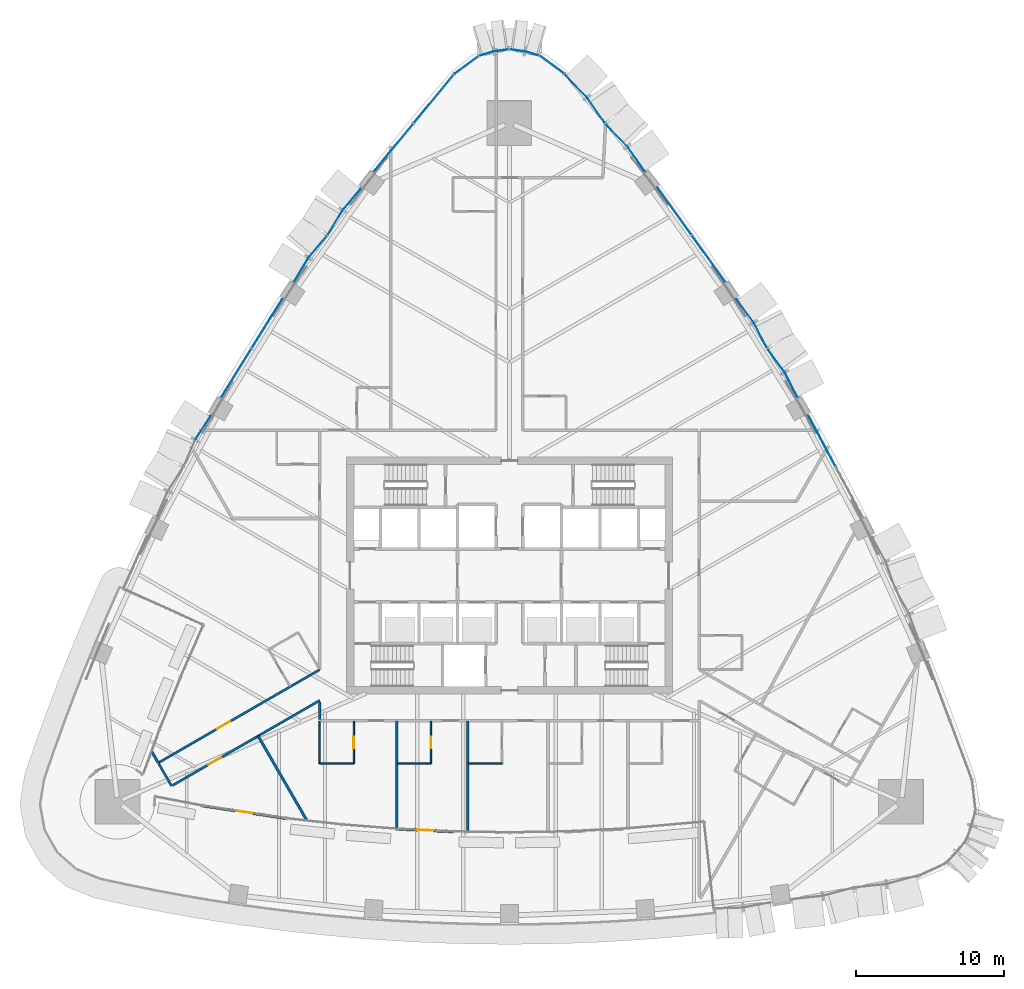
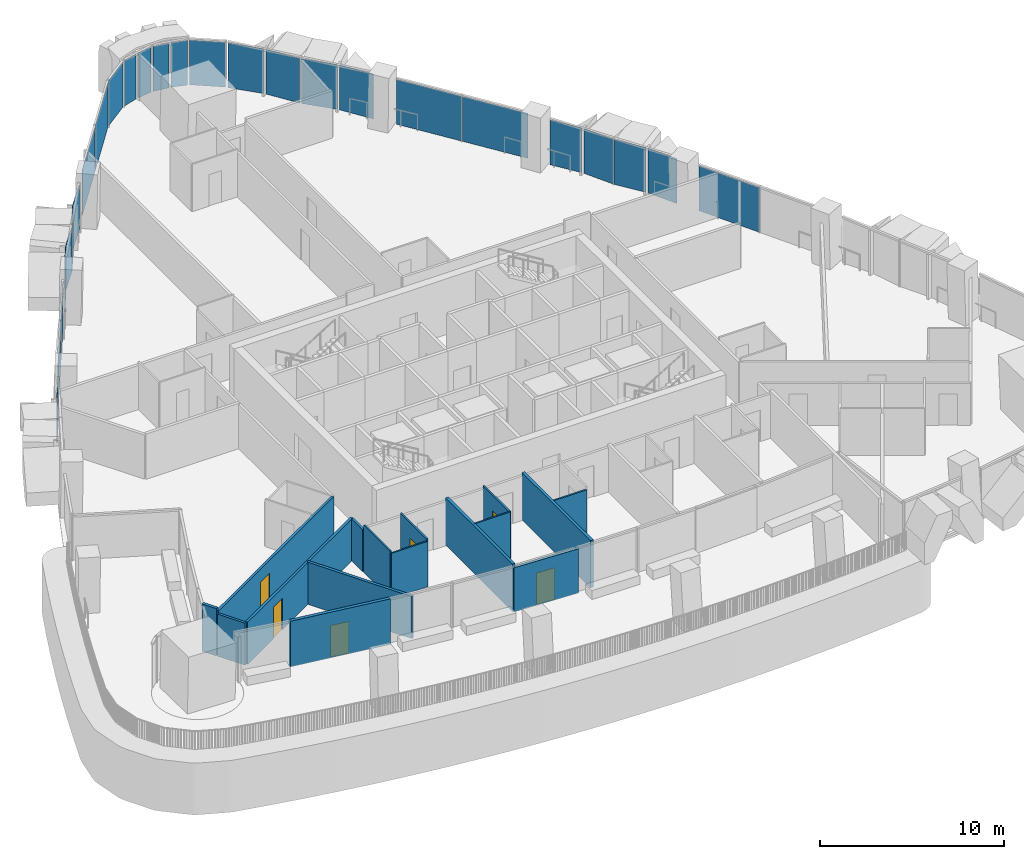
# One storey, part 11 of 22: 26 plates, 16 walls, 6 doors, 6 openings, 12 elements without a shape of their own.
"""IFC4 building model written with IfcOpenShell, lengths in metres."""

from ifc_helpers import new_model, si_unit, direction, frame, frame_2d, origin, origin_2d, place, context, subcontext, project, spatial, polyline, rectangle, outline, extrude, material, layer, layer_set, type_object, element, fill, aggregate, save


model = new_model("IFC4")

# Units and contexts
model_context = context("Model", 3, precision=1e-05, world=origin(), true_north=direction((0.0, 1.0)))
body_context = subcontext(model_context, "Body", "Model", "MODEL_VIEW")
ifc_project = project(units=[si_unit("LENGTHUNIT", "METRE"), si_unit("AREAUNIT", "SQUARE_METRE"), si_unit("VOLUMEUNIT", "CUBIC_METRE"), si_unit("PLANEANGLEUNIT", "RADIAN"), si_unit("MASSUNIT", "GRAM", prefix="KILO")], contexts=[model_context])

# Site, building, storey
site_placement = place(None, origin())
site = spatial("IfcSite", under=ifc_project, at=site_placement, CompositionType="ELEMENT")
building_placement = place(site_placement, origin())
building = spatial("IfcBuilding", under=site, at=building_placement, Name="Sierra Prisma Convention Tower", CompositionType="ELEMENT")
storey_placement = place(building_placement, frame((0.0, 0.0, 73.89990234375)))
storey = spatial("IfcBuildingStorey", under=building, at=storey_placement, Name="L14", CompositionType="ELEMENT", Elevation=73.89990234375)

# Curtain wall, plate
ifc_material_1 = material(Name="Aluminium and glass curtain wall", Category="aluminium")
ifc_layer_1 = layer(ifc_material_1, 0.179931640625)
ifc_layer_set_1 = layer_set([ifc_layer_1], Name="CW-1 Plain shaft curtain wall")
curtain_wall_type_1 = type_object("IfcCurtainWallType", Name="CW-1 Plain shaft curtain wall", PredefinedType="NOTDEFINED", material=ifc_layer_set_1)
curtain_wall_1_placement = place(storey_placement, origin())
curtain_wall_1 = element("IfcCurtainWall", 1, at=curtain_wall_1_placement, inside=storey, type_object=curtain_wall_type_1, Name="CW-1 NE3 L14", PredefinedType="NOTDEFINED")
ifc_material_2 = material(Name="Tinted glass bronze-grey IGU", Category="glass")
ifc_layer_2 = layer(ifc_material_2, 0.028076171875)
ifc_layer_set_2 = layer_set([ifc_layer_2], Name="CW-1 glass panel")
plate_type_1 = type_object("IfcPlateType", Name="CW-1 glass panel", PredefinedType="CURTAIN_PANEL", material=ifc_layer_set_2)
plate_1_placement = place(storey_placement, frame((21.076904296875, 9.087158203125, 0.0), z_axis=(0.0, 0.0, 1.0), x_axis=(-0.470524141145, 0.882387121733, 0.0)))
plate_1 = element("IfcPlate", 2, at=plate_1_placement, type_object=plate_type_1, Name="CW-1 panel NE3.2", PredefinedType="CURTAIN_PANEL", context=body_context, shape_type="SweptSolid", body=[
    extrude(rectangle(XDim=3.853759765625, YDim=0.028076171875, at=origin_2d()), origin(), (0.0, 0.0, 1.0), 2.97998046875),
])
aggregate(curtain_wall_1, [plate_1])

# Curtain wall, plates
curtain_wall_2_placement = place(storey_placement, origin())
curtain_wall_2 = element("IfcCurtainWall", 3, at=curtain_wall_2_placement, inside=storey, type_object=curtain_wall_type_1, Name="CW-1 NE5 L14", PredefinedType="NOTDEFINED")
plate_2_placement = place(storey_placement, frame((13.4404296875, 21.363525390625, 0.0), z_axis=(0.0, 0.0, 1.0), x_axis=(-0.583173599233, 0.812347556873, 0.0)))
plate_2 = element("IfcPlate", 4, at=plate_2_placement, type_object=plate_type_1, Name="CW-1 panel NE5.1", PredefinedType="CURTAIN_PANEL", context=body_context, shape_type="SweptSolid", body=[
    extrude(rectangle(XDim=3.89453125, YDim=0.028076171875, at=origin_2d()), origin(), (0.0, 0.0, 1.0), 2.97998046875),
])
plate_3_placement = place(storey_placement, frame((11.12841796875, 24.583984375, 0.0), z_axis=(0.0, 0.0, 1.0), x_axis=(-0.583173599233, 0.812347556873, 0.0)))
plate_3 = element("IfcPlate", 5, at=plate_3_placement, type_object=plate_type_1, Name="CW-1 panel NE5.2", PredefinedType="CURTAIN_PANEL", context=body_context, shape_type="SweptSolid", body=[
    extrude(rectangle(XDim=3.89453125, YDim=0.028076171875, at=origin_2d()), origin(), (0.0, 0.0, 1.0), 2.97998046875),
])
aggregate(curtain_wall_2, [plate_2, plate_3])

# Curtain wall, plate
curtain_wall_3_placement = place(storey_placement, origin())
curtain_wall_3 = element("IfcCurtainWall", 6, at=curtain_wall_3_placement, inside=storey, type_object=curtain_wall_type_1, Name="CW-1 N1 L14", PredefinedType="NOTDEFINED")
plate_4_placement = place(storey_placement, frame((2.892578125, 34.45556640625, 0.0), z_axis=(0.0, 0.0, 1.0), x_axis=(-0.804207422326, 0.594348737591, 0.0)))
plate_4 = element("IfcPlate", 7, at=plate_4_placement, type_object=plate_type_1, Name="CW-1 panel N1.1", PredefinedType="CURTAIN_PANEL", context=body_context, shape_type="SweptSolid", body=[
    extrude(rectangle(XDim=1.95654296875, YDim=0.028076171875, at=origin_2d()), origin(), (0.0, 0.0, 1.0), 2.97998046875),
])
aggregate(curtain_wall_3, [plate_4])

curtain_wall_4_placement = place(storey_placement, origin())
curtain_wall_4 = element("IfcCurtainWall", 8, at=curtain_wall_4_placement, inside=storey, type_object=curtain_wall_type_1, Name="CW-1 N4 L14", PredefinedType="NOTDEFINED")
plate_5_placement = place(storey_placement, frame((-2.892578125, 34.45556640625, 0.0), z_axis=(0.0, 0.0, 1.0), x_axis=(-0.804207422326, -0.594348737591, 0.0)))
plate_5 = element("IfcPlate", 9, at=plate_5_placement, type_object=plate_type_1, Name="CW-1 panel N4.1", PredefinedType="CURTAIN_PANEL", context=body_context, shape_type="SweptSolid", body=[
    extrude(rectangle(XDim=1.95654296875, YDim=0.028076171875, at=origin_2d()), origin(), (0.0, 0.0, 1.0), 2.97998046875),
])
aggregate(curtain_wall_4, [plate_5])

# Curtain wall, plates
curtain_wall_5_placement = place(storey_placement, origin())
curtain_wall_5 = element("IfcCurtainWall", 10, at=curtain_wall_5_placement, inside=storey, type_object=curtain_wall_type_1, Name="CW-1 NW1 L14", PredefinedType="NOTDEFINED")
plate_6_placement = place(storey_placement, frame((-5.1171875, 32.155029296875, 0.0), z_axis=(0.0, 0.0, 1.0), x_axis=(-0.635767597496, -0.771880536077, 0.0)))
plate_6 = element("IfcPlate", 11, at=plate_6_placement, type_object=plate_type_1, Name="CW-1 panel NW1.1", PredefinedType="CURTAIN_PANEL", context=body_context, shape_type="SweptSolid", body=[
    extrude(rectangle(XDim=4.2060546875, YDim=0.028076171875, at=origin_2d()), origin(), (0.0, 0.0, 1.0), 2.97998046875),
])
plate_7_placement = place(storey_placement, frame((-7.8359375, 28.8544921875, 0.0), z_axis=(0.0, 0.0, 1.0), x_axis=(-0.635767597496, -0.771880536077, 0.0)))
plate_7 = element("IfcPlate", 12, at=plate_7_placement, type_object=plate_type_1, Name="CW-1 panel NW1.2", PredefinedType="CURTAIN_PANEL", context=body_context, shape_type="SweptSolid", body=[
    extrude(rectangle(XDim=4.2060546875, YDim=0.028076171875, at=origin_2d()), origin(), (0.0, 0.0, 1.0), 2.97998046875),
])
aggregate(curtain_wall_5, [plate_6, plate_7])

curtain_wall_6_placement = place(storey_placement, origin())
curtain_wall_6 = element("IfcCurtainWall", 13, at=curtain_wall_6_placement, inside=storey, type_object=curtain_wall_type_1, Name="CW-1 NW3 L14", PredefinedType="NOTDEFINED")
plate_8_placement = place(storey_placement, frame((-16.361572265625, 16.997314453125, 0.0), z_axis=(0.0, 0.0, 1.0), x_axis=(-0.528011474479, -0.849237235888, 0.0)))
plate_8 = element("IfcPlate", 14, at=plate_8_placement, type_object=plate_type_1, Name="CW-1 panel NW3.1", PredefinedType="CURTAIN_PANEL", context=body_context, shape_type="SweptSolid", body=[
    extrude(rectangle(XDim=3.881591796875, YDim=0.028076171875, at=origin_2d()), origin(), (0.0, 0.0, 1.0), 2.97998046875),
])
plate_9_placement = place(storey_placement, frame((-18.4482421875, 13.641357421875, 0.0), z_axis=(0.0, 0.0, 1.0), x_axis=(-0.528011474479, -0.849237235888, 0.0)))
plate_9 = element("IfcPlate", 15, at=plate_9_placement, type_object=plate_type_1, Name="CW-1 panel NW3.2", PredefinedType="CURTAIN_PANEL", context=body_context, shape_type="SweptSolid", body=[
    extrude(rectangle(XDim=3.881591796875, YDim=0.028076171875, at=origin_2d()), origin(), (0.0, 0.0, 1.0), 2.97998046875),
])
aggregate(curtain_wall_6, [plate_8, plate_9])

ifc_material_3 = material(Name="Aluminium and glass curtain wall", Category="aluminium")
ifc_layer_3 = layer(ifc_material_3, 0.179931640625)
ifc_layer_set_3 = layer_set([ifc_layer_3], Name="CW-2 Faceted crystal curtain wall")
curtain_wall_type_2 = type_object("IfcCurtainWallType", Name="CW-2 Faceted crystal curtain wall", PredefinedType="NOTDEFINED", material=ifc_layer_set_3)
curtain_wall_7_placement = place(storey_placement, origin())
curtain_wall_7 = element("IfcCurtainWall", 16, at=curtain_wall_7_placement, inside=storey, type_object=curtain_wall_type_2, Name="CW-2 NE4 L14", PredefinedType="NOTDEFINED")
ifc_material_4 = material(Name="Tinted glass bronze-grey IGU", Category="glass")
ifc_layer_4 = layer(ifc_material_4, 0.028076171875)
ifc_layer_set_4 = layer_set([ifc_layer_4], Name="CW-2 crystal pane")
plate_type_2 = type_object("IfcPlateType", Name="CW-2 crystal pane", PredefinedType="CURTAIN_PANEL", material=ifc_layer_set_4)
plate_10_placement = place(storey_placement, frame((19.4736328125, 11.9921875, 0.0), z_axis=(0.888007650808, 0.459828676908, 0.0), x_axis=(-0.459828676908, 0.888007650808, 0.0)))
plate_10 = element("IfcPlate", 17, at=plate_10_placement, type_object=plate_type_2, Name="CW-2 pane NE4.1.1", PredefinedType="CURTAIN_PANEL", context=body_context, shape_type="SweptSolid", body=[
    extrude(outline(polyline([(0.0, 0.0), (1.8821760344405476, 0.0), (1.8821760344405476, 2.97998046875), (0.0, 2.97998046875), (0.0, 0.0)])), origin(), (0.0, 0.0, -1.0), 0.028076171875),
])
plate_11_placement = place(storey_placement, frame((17.423583984375, 15.2890625, 0.0), z_axis=(0.805153638177, 0.593066285443, 0.0), x_axis=(0.593066285443, -0.805153638177, 0.0)))
plate_11 = element("IfcPlate", 18, at=plate_11_placement, type_object=plate_type_2, Name="CW-2 pane NE4.1.2", PredefinedType="CURTAIN_PANEL", context=body_context, shape_type="SweptSolid", body=[
    extrude(outline(polyline([(0.0, 0.0), (1.8821014866246566, 0.0), (1.8821014866246566, -2.97998046875), (0.0, -2.97998046875), (0.0, 0.0)])), origin(), (0.0, 0.0, -1.0), 0.028076171875),
])
plate_12_placement = place(storey_placement, frame((17.38671875, 15.3486328125, 0.0), z_axis=(0.888007650808, 0.459828676908, 0.0), x_axis=(-0.459828676908, 0.888007650808, 0.0)))
plate_12 = element("IfcPlate", 19, at=plate_12_placement, type_object=plate_type_2, Name="CW-2 pane NE4.2.1", PredefinedType="CURTAIN_PANEL", context=body_context, shape_type="SweptSolid", body=[
    extrude(outline(polyline([(0.0, 0.0), (1.8821760344405476, 0.0), (1.8821760344405476, 2.97998046875), (0.0, 2.97998046875), (0.0, 0.0)])), origin(), (0.0, 0.0, -1.0), 0.028076171875),
])
plate_13_placement = place(storey_placement, frame((15.3369140625, 18.6455078125, 0.0), z_axis=(0.805215579664, 0.592982183768, 0.0), x_axis=(0.592982183768, -0.805215579664, 0.0)))
plate_13 = element("IfcPlate", 20, at=plate_13_placement, type_object=plate_type_2, Name="CW-2 pane NE4.2.2", PredefinedType="CURTAIN_PANEL", context=body_context, shape_type="SweptSolid", body=[
    extrude(outline(polyline([(0.0, 0.0), (1.8819567053169852, 0.0), (1.8819567053169852, -2.97998046875), (0.0, -2.97998046875), (0.0, 0.0)])), origin(), (0.0, 0.0, -1.0), 0.028076171875),
])
aggregate(curtain_wall_7, [plate_10, plate_11, plate_12, plate_13])

curtain_wall_8_placement = place(storey_placement, origin())
curtain_wall_8 = element("IfcCurtainWall", 21, at=curtain_wall_8_placement, inside=storey, type_object=curtain_wall_type_2, Name="CW-2 NE6 L14", PredefinedType="NOTDEFINED")
plate_14_placement = place(storey_placement, frame((9.173095703125, 27.230712890625, 0.0), z_axis=(0.819461845382, 0.573133740031, 0.0), x_axis=(-0.573133740031, 0.819461845382, 0.0)))
plate_14 = element("IfcPlate", 22, at=plate_14_placement, type_object=plate_type_2, Name="CW-2 pane NE6.1.1", PredefinedType="CURTAIN_PANEL", context=body_context, shape_type="SweptSolid", body=[
    extrude(outline(polyline([(0.0, 0.0), (2.04467983325452, 0.0), (2.04467983325452, 2.97998046875), (0.0, 2.97998046875), (0.0, 0.0)])), origin(), (0.0, 0.0, -1.0), 0.028076171875),
])
plate_15_placement = place(storey_placement, frame((6.4990234375, 30.4775390625, 0.0), z_axis=(0.719650363416, 0.694336629046, 0.0), x_axis=(0.694336629046, -0.719650363416, 0.0)))
plate_15 = element("IfcPlate", 23, at=plate_15_placement, type_object=plate_type_2, Name="CW-2 pane NE6.1.2", PredefinedType="CURTAIN_PANEL", context=body_context, shape_type="SweptSolid", body=[
    extrude(outline(polyline([(0.0, 0.0), (2.0446533784696768, 0.0), (2.0446533784696768, -2.97998046875), (0.0, -2.97998046875), (0.0, 0.0)])), origin(), (0.0, 0.0, -1.0), 0.028076171875),
])
plate_16_placement = place(storey_placement, frame((6.454345703125, 30.53173828125, 0.0), z_axis=(0.8194226179, 0.573189823072, 0.0), x_axis=(-0.573189823072, 0.8194226179, 0.0)))
plate_16 = element("IfcPlate", 24, at=plate_16_placement, type_object=plate_type_2, Name="CW-2 pane NE6.2.1", PredefinedType="CURTAIN_PANEL", context=body_context, shape_type="SweptSolid", body=[
    extrude(outline(polyline([(0.0, 0.0), (2.0444797741157013, 0.0), (2.0444797741157013, 2.97998046875), (0.0, 2.97998046875), (0.0, 0.0)])), origin(), (0.0, 0.0, -1.0), 0.028076171875),
])
plate_17_placement = place(storey_placement, frame((3.7802734375, 33.7783203125, 0.0), z_axis=(0.71959279073, 0.694396295734, 0.0), x_axis=(0.694396295734, -0.71959279073, 0.0)))
plate_17 = element("IfcPlate", 25, at=plate_17_placement, type_object=plate_type_2, Name="CW-2 pane NE6.2.2", PredefinedType="CURTAIN_PANEL", context=body_context, shape_type="SweptSolid", body=[
    extrude(outline(polyline([(0.0, 0.0), (2.0444776896077848, 0.0), (2.0444776896077848, -2.97998046875), (0.0, -2.97998046875), (0.0, 0.0)])), origin(), (0.0, 0.0, -1.0), 0.028076171875),
])
aggregate(curtain_wall_8, [plate_14, plate_15, plate_16, plate_17])

curtain_wall_9_placement = place(storey_placement, origin())
curtain_wall_9 = element("IfcCurtainWall", 26, at=curtain_wall_9_placement, inside=storey, type_object=curtain_wall_type_2, Name="CW-2 N2 L14", PredefinedType="NOTDEFINED")
plate_18_placement = place(storey_placement, frame((1.981201171875, 35.09326171875, 0.0), z_axis=(0.286663441259, 0.958031352016, 0.0), x_axis=(-0.958031352016, 0.286663441259, 0.0)))
plate_18 = element("IfcPlate", 27, at=plate_18_placement, type_object=plate_type_2, Name="CW-2 pane N2.1.1", PredefinedType="CURTAIN_PANEL", context=body_context, shape_type="SweptSolid", body=[
    extrude(outline(polyline([(0.0, 0.0), (0.9163893077744416, 0.0), (0.9163893077744416, 2.97998046875), (0.0, 2.97998046875), (0.0, 0.0)])), origin(), (0.0, 0.0, -1.0), 0.028076171875),
])
plate_19_placement = place(storey_placement, frame((0.068359375, 35.50537109375, 0.0), z_axis=(0.133210717496, 0.991087738167, 0.0), x_axis=(0.991087738167, -0.133210717496, 0.0)))
plate_19 = element("IfcPlate", 28, at=plate_19_placement, type_object=plate_type_2, Name="CW-2 pane N2.1.2", PredefinedType="CURTAIN_PANEL", context=body_context, shape_type="SweptSolid", body=[
    extrude(outline(polyline([(0.0, 0.0), (0.9163700548651801, 0.0), (0.9163700548651801, -2.97998046875), (0.0, -2.97998046875), (0.0, 0.0)])), origin(), (0.0, 0.0, -1.0), 0.028076171875),
])
aggregate(curtain_wall_9, [plate_18, plate_19])

curtain_wall_10_placement = place(storey_placement, origin())
curtain_wall_10 = element("IfcCurtainWall", 29, at=curtain_wall_10_placement, inside=storey, type_object=curtain_wall_type_2, Name="CW-2 N3 L14", PredefinedType="NOTDEFINED")
plate_20_placement = place(storey_placement, frame((-0.068359375, 35.50537109375, 0.0), z_axis=(-0.133210717496, 0.991087738167, 0.0), x_axis=(-0.991087738167, -0.133210717496, 0.0)))
plate_20 = element("IfcPlate", 30, at=plate_20_placement, type_object=plate_type_2, Name="CW-2 pane N3.1.1", PredefinedType="CURTAIN_PANEL", context=body_context, shape_type="SweptSolid", body=[
    extrude(outline(polyline([(0.0, 0.0), (0.9163700548651801, 0.0), (0.9163700548651801, 2.97998046875), (0.0, 2.97998046875), (0.0, 0.0)])), origin(), (0.0, 0.0, -1.0), 0.028076171875),
])
plate_21_placement = place(storey_placement, frame((-1.981201171875, 35.09326171875, 0.0), z_axis=(-0.286663441259, 0.958031352016, 0.0), x_axis=(0.958031352016, 0.286663441259, 0.0)))
plate_21 = element("IfcPlate", 31, at=plate_21_placement, type_object=plate_type_2, Name="CW-2 pane N3.1.2", PredefinedType="CURTAIN_PANEL", context=body_context, shape_type="SweptSolid", body=[
    extrude(outline(polyline([(0.0, 0.0), (0.9163893077744416, 0.0), (0.9163893077744416, -2.97998046875), (0.0, -2.97998046875), (0.0, 0.0)])), origin(), (0.0, 0.0, -1.0), 0.028076171875),
])
aggregate(curtain_wall_10, [plate_20, plate_21])

curtain_wall_11_placement = place(storey_placement, origin())
curtain_wall_11 = element("IfcCurtainWall", 32, at=curtain_wall_11_placement, inside=storey, type_object=curtain_wall_type_2, Name="CW-2 NW2 L14", PredefinedType="NOTDEFINED")
plate_22_placement = place(storey_placement, frame((-10.0048828125, 26.14892578125, 0.0), z_axis=(-0.764113711108, 0.645081573521, 0.0), x_axis=(-0.645081573521, -0.764113711108, 0.0)))
plate_22 = element("IfcPlate", 33, at=plate_22_placement, type_object=plate_type_2, Name="CW-2 pane NW2.1.1", PredefinedType="CURTAIN_PANEL", context=body_context, shape_type="SweptSolid", body=[
    extrude(outline(polyline([(0.0, 0.0), (1.882862042926777, 0.0), (1.882862042926777, 2.97998046875), (0.0, 2.97998046875), (0.0, 0.0)])), origin(), (0.0, 0.0, -1.0), 0.028076171875),
])
plate_23_placement = place(storey_placement, frame((-12.269775390625, 22.994140625, 0.0), z_axis=(-0.855587742807, 0.517657815896, 0.0), x_axis=(0.517657815896, 0.855587742807, 0.0)))
plate_23 = element("IfcPlate", 34, at=plate_23_placement, type_object=plate_type_2, Name="CW-2 pane NW2.1.2", PredefinedType="CURTAIN_PANEL", context=body_context, shape_type="SweptSolid", body=[
    extrude(outline(polyline([(0.0, 0.0), (1.8827289863521024, 0.0), (1.8827289863521024, -2.97998046875), (0.0, -2.97998046875), (0.0, 0.0)])), origin(), (0.0, 0.0, -1.0), 0.028076171875),
])
plate_24_placement = place(storey_placement, frame((-12.310546875, 22.937255859375, 0.0), z_axis=(-0.764059745712, 0.64514549133, 0.0), x_axis=(-0.64514549133, -0.764059745712, 0.0)))
plate_24 = element("IfcPlate", 35, at=plate_24_placement, type_object=plate_type_2, Name="CW-2 pane NW2.2.1", PredefinedType="CURTAIN_PANEL", context=body_context, shape_type="SweptSolid", body=[
    extrude(outline(polyline([(0.0, 0.0), (1.8826754983150225, 0.0), (1.8826754983150225, 2.97998046875), (0.0, 2.97998046875), (0.0, 0.0)])), origin(), (0.0, 0.0, -1.0), 0.028076171875),
])
plate_25_placement = place(storey_placement, frame((-14.5751953125, 19.78271484375, 0.0), z_axis=(-0.855587742807, 0.517657815896, 0.0), x_axis=(0.517657815896, 0.855587742807, 0.0)))
plate_25 = element("IfcPlate", 36, at=plate_25_placement, type_object=plate_type_2, Name="CW-2 pane NW2.2.2", PredefinedType="CURTAIN_PANEL", context=body_context, shape_type="SweptSolid", body=[
    extrude(outline(polyline([(0.0, 0.0), (1.8827289863521024, 0.0), (1.8827289863521024, -2.97998046875), (0.0, -2.97998046875), (0.0, 0.0)])), origin(), (0.0, 0.0, -1.0), 0.028076171875),
])
aggregate(curtain_wall_11, [plate_22, plate_23, plate_24, plate_25])

# Curtain wall, plate
curtain_wall_12_placement = place(storey_placement, origin())
curtain_wall_12 = element("IfcCurtainWall", 37, at=curtain_wall_12_placement, inside=storey, type_object=curtain_wall_type_2, Name="CW-2 NW4 L14", PredefinedType="NOTDEFINED")
plate_26_placement = place(storey_placement, frame((-20.17041015625, 10.787353515625, 0.0), z_axis=(-0.842772046821, 0.538270635551, 0.0), x_axis=(-0.538270635551, -0.842772046821, 0.0)))
plate_26 = element("IfcPlate", 38, at=plate_26_placement, type_object=plate_type_2, Name="CW-2 pane NW4.1.1", PredefinedType="CURTAIN_PANEL", context=body_context, shape_type="SweptSolid", body=[
    extrude(outline(polyline([(0.0, 0.0), (1.867326372161664, 0.0), (1.867326372161664, 2.9799804687500004), (0.0, 2.9799804687500004), (0.0, 0.0)])), origin(), (0.0, 0.0, -1.0), 0.028076171875),
])
aggregate(curtain_wall_12, [plate_26])

# Wall, opening, door
ifc_material_5 = material(Name="Gypsum board partition", Category="gypsum")
ifc_layer_5 = layer(ifc_material_5, 0.10009765625)
ifc_layer_set_5 = layer_set([ifc_layer_5], Name="Bathroom partition 100")
wall_type_1 = type_object("IfcWallType", Name="Bathroom partition 100", PredefinedType="PARTITIONING", material=ifc_layer_set_5)
wall_1_placement = place(storey_placement, frame((-10.5, -9.830078125, 0.0), z_axis=(0.0, 0.0, 1.0), x_axis=(0.0, -1.0, 0.0)))
wall_1 = element("IfcWall", 39, at=wall_1_placement, inside=storey, type_object=wall_type_1, Name="Partition L14 bath 6", PredefinedType="PARTITIONING", context=body_context, shape_type="SweptSolid", body=[
    extrude(rectangle(XDim=2.869873046875, YDim=0.10009765625, at=frame_2d((1.43505859375, 0.0))), origin(), (0.0, 0.0, 1.0), 3.150146484375),
])
opening_1_placement = place(wall_1_placement, frame((1.034912109375, 0.0, 0.0)))
opening_1 = element("IfcOpeningElement", 40, at=opening_1_placement, cuts=wall_1, Name="Opening L14-D009", PredefinedType="OPENING", context=body_context, shape_type="SweptSolid", body=[
    extrude(rectangle(XDim=0.800048828125, YDim=2.10009765625, at=frame_2d((0.39990234375, 1.050048828125))), frame((0.0, 0.050048828125, 0.0), z_axis=(0.0, -1.0, 0.0), x_axis=(1.0, 0.0, 0.0)), (0.0, 0.0, 1.0), 0.10009765625),
])
ifc_material_6 = material(Name="Solid core timber door leaf", Category="wood")
door_type_1 = type_object("IfcDoorType", Name="Door 800x2100 plain", OperationType="SINGLE_SWING_LEFT", PredefinedType="DOOR", material=ifc_material_6)
door_1_placement = place(opening_1_placement, origin())
door_1 = element("IfcDoor", 41, at=door_1_placement, inside=storey, type_object=door_type_1, Name="Door L14 15", OperationType="SINGLE_SWING_RIGHT", OverallHeight=2.10009765625, OverallWidth=0.800048828125, PredefinedType="DOOR", context=body_context, shape_type="SweptSolid", body=[
    extrude(rectangle(XDim=0.800048828125, YDim=2.10009765625, at=frame_2d((0.39990234375, 1.050048828125))), frame((0.0, 0.02490234375, 0.0), z_axis=(0.0, -1.0, 0.0), x_axis=(1.0, 0.0, 0.0)), (0.0, 0.0, 1.0), 0.050048828125),
])
fill(opening_1, door_1)

# Walls
wall_2_placement = place(storey_placement, frame((-10.5, -12.699951171875, 0.0), z_axis=(0.0, 0.0, 1.0), x_axis=(-1.0, 0.0, 0.0)))
element("IfcWall", 42, at=wall_2_placement, inside=storey, type_object=wall_type_1, Name="Partition L14 bath 7", PredefinedType="PARTITIONING", context=body_context, shape_type="SweptSolid", body=[
    extrude(rectangle(XDim=2.300048828125, YDim=0.10009765625, at=frame_2d((1.14990234375, 0.0))), origin(), (0.0, 0.0, 1.0), 3.01708984375),
])
wall_3_placement = place(storey_placement, frame((-12.800048828125, -12.699951171875, 0.0), z_axis=(0.0, 0.0, 1.0), x_axis=(0.0, 1.0, 0.0)))
element("IfcWall", 43, at=wall_3_placement, inside=storey, type_object=wall_type_1, Name="Partition L14 bath 8", PredefinedType="PARTITIONING", context=body_context, shape_type="SweptSolid", body=[
    extrude(rectangle(XDim=2.869873046875, YDim=0.10009765625, at=frame_2d((1.43505859375, 0.0))), origin(), (0.0, 0.0, 1.0), 3.150146484375),
])

# Wall, opening, door
wall_4_placement = place(storey_placement, frame((-5.300048828125, -9.830078125, 0.0), z_axis=(0.0, 0.0, 1.0), x_axis=(0.0, -1.0, 0.0)))
wall_4 = element("IfcWall", 44, at=wall_4_placement, inside=storey, type_object=wall_type_1, Name="Partition L14 bath 11", PredefinedType="PARTITIONING", context=body_context, shape_type="SweptSolid", body=[
    extrude(rectangle(XDim=2.869873046875, YDim=0.10009765625, at=frame_2d((1.43505859375, 0.0))), origin(), (0.0, 0.0, 1.0), 3.150146484375),
])
opening_2_placement = place(wall_4_placement, frame((1.034912109375, 0.0, 0.0)))
opening_2 = element("IfcOpeningElement", 45, at=opening_2_placement, cuts=wall_4, Name="Opening L14-D010", PredefinedType="OPENING", context=body_context, shape_type="SweptSolid", body=[
    extrude(rectangle(XDim=0.800048828125, YDim=2.10009765625, at=frame_2d((0.39990234375, 1.050048828125))), frame((0.0, 0.050048828125, 0.0), z_axis=(0.0, -1.0, 0.0), x_axis=(1.0, 0.0, 0.0)), (0.0, 0.0, 1.0), 0.10009765625),
])
door_2_placement = place(opening_2_placement, origin())
door_2 = element("IfcDoor", 46, at=door_2_placement, inside=storey, type_object=door_type_1, Name="Door L14 17", OperationType="SINGLE_SWING_RIGHT", OverallHeight=2.10009765625, OverallWidth=0.800048828125, PredefinedType="DOOR", context=body_context, shape_type="SweptSolid", body=[
    extrude(rectangle(XDim=0.800048828125, YDim=2.10009765625, at=frame_2d((0.39990234375, 1.050048828125))), frame((0.0, 0.02490234375, 0.0), z_axis=(0.0, -1.0, 0.0), x_axis=(1.0, 0.0, 0.0)), (0.0, 0.0, 1.0), 0.050048828125),
])
fill(opening_2, door_2)

# Walls
wall_5_placement = place(storey_placement, frame((-5.300048828125, -12.699951171875, 0.0), z_axis=(0.0, 0.0, 1.0), x_axis=(-1.0, 0.0, 0.0)))
element("IfcWall", 47, at=wall_5_placement, inside=storey, type_object=wall_type_1, Name="Partition L14 bath 12", PredefinedType="PARTITIONING", context=body_context, shape_type="SweptSolid", body=[
    extrude(rectangle(XDim=2.27001953125, YDim=0.10009765625, at=frame_2d((1.135009765625, 0.0))), origin(), (0.0, 0.0, 1.0), 3.150146484375),
])
wall_6_placement = place(storey_placement, frame((-0.5, -12.699951171875, 0.0), z_axis=(0.0, 0.0, 1.0), x_axis=(-1.0, 0.0, 0.0)))
element("IfcWall", 48, at=wall_6_placement, inside=storey, type_object=wall_type_1, Name="Partition L14 bath 14", PredefinedType="PARTITIONING", context=body_context, shape_type="SweptSolid", body=[
    extrude(rectangle(XDim=2.27001953125, YDim=0.10009765625, at=frame_2d((1.135009765625, 0.0))), origin(), (0.0, 0.0, 1.0), 2.947021484375),
])

# Wall, opening, door
ifc_material_7 = material(Name="Gypsum board partition", Category="gypsum")
ifc_layer_6 = layer(ifc_material_7, 0.14990234375)
ifc_layer_set_6 = layer_set([ifc_layer_6], Name="Corridor wall 150 gypsum EI 60")
wall_type_2 = type_object("IfcWallType", Name="Corridor wall 150 gypsum EI 60", PredefinedType="PARTITIONING", material=ifc_layer_set_6)
wall_7_placement = place(storey_placement, frame((-12.800048828125, -6.350830078125, 0.0), z_axis=(0.0, 0.0, 1.0), x_axis=(-0.866020449901, -0.50000858028, 0.0)))
wall_7 = element("IfcWall", 49, at=wall_7_placement, inside=storey, type_object=wall_type_2, Name="Partition L14 corr 1", PredefinedType="PARTITIONING", context=body_context, shape_type="SweptSolid", body=[
    extrude(rectangle(XDim=12.580810546875, YDim=0.14990234375, at=frame_2d((6.29052734375, 0.0))), origin(), (0.0, 0.0, 1.0), 2.947021484375),
])
opening_3_placement = place(wall_7_placement, frame((6.990478515625, 0.0, 0.0)))
opening_3 = element("IfcOpeningElement", 50, at=opening_3_placement, cuts=wall_7, Name="Opening L14-D046", PredefinedType="OPENING", context=body_context, shape_type="SweptSolid", body=[
    extrude(rectangle(XDim=1.0, YDim=2.10009765625, at=frame_2d((0.5, 1.050048828125))), frame((0.0, 0.074951171875, 0.0), z_axis=(0.0, -1.0, 0.0), x_axis=(1.0, 0.0, 0.0)), (0.0, 0.0, 1.0), 0.14990234375),
])
ifc_material_8 = material(Name="Steel fire door leaf", Category="steel")
door_type_2 = type_object("IfcDoorType", Name="Door 1000x2100 FD30S", OperationType="SINGLE_SWING_LEFT", PredefinedType="DOOR", material=ifc_material_8)
door_3_placement = place(opening_3_placement, origin())
door_3 = element("IfcDoor", 51, at=door_3_placement, inside=storey, type_object=door_type_2, Name="Door L14 11", OperationType="SINGLE_SWING_RIGHT", OverallHeight=2.10009765625, OverallWidth=1.0, PredefinedType="DOOR", context=body_context, shape_type="SweptSolid", body=[
    extrude(rectangle(XDim=1.0, YDim=2.10009765625, at=frame_2d((0.5, 1.050048828125))), frame((0.0, 0.02490234375, 0.0), z_axis=(0.0, -1.0, 0.0), x_axis=(1.0, 0.0, 0.0)), (0.0, 0.0, 1.0), 0.050048828125),
])
fill(opening_3, door_3)

# Wall
wall_8_placement = place(storey_placement, frame((-23.655517578125, -12.710693359375, 0.0), z_axis=(0.0, 0.0, 1.0), x_axis=(0.500062383118, -0.865989383878, 0.0)))
element("IfcWall", 52, at=wall_8_placement, inside=storey, type_object=wall_type_2, Name="Partition L14 corr 2", PredefinedType="PARTITIONING", context=body_context, shape_type="SweptSolid", body=[
    extrude(rectangle(XDim=1.719970703125, YDim=0.14990234375, at=frame_2d((0.85986328125, 0.0))), origin(), (0.0, 0.0, 1.0), 2.797119140625),
])

# Wall, opening, door
wall_9_placement = place(storey_placement, frame((-22.72607421875, -14.16015625, 0.0), z_axis=(0.0, 0.0, 1.0), x_axis=(0.866019223041, 0.500010705209, 0.0)))
wall_9 = element("IfcWall", 53, at=wall_9_placement, inside=storey, type_object=wall_type_2, Name="Partition L14 corr 3", PredefinedType="PARTITIONING", context=body_context, shape_type="SweptSolid", body=[
    extrude(rectangle(XDim=11.461669921875, YDim=0.14990234375, at=frame_2d((5.73095703125, 0.0))), origin(), (0.0, 0.0, 1.0), 2.797119140625),
])
opening_4_placement = place(wall_9_placement, frame((2.790771484375, 0.0, 0.0)))
opening_4 = element("IfcOpeningElement", 54, at=opening_4_placement, cuts=wall_9, Name="Opening L14-D047", PredefinedType="OPENING", context=body_context, shape_type="SweptSolid", body=[
    extrude(rectangle(XDim=1.0, YDim=2.10009765625, at=frame_2d((0.5, 1.050048828125))), frame((0.0, 0.074951171875, 0.0), z_axis=(0.0, -1.0, 0.0), x_axis=(1.0, 0.0, 0.0)), (0.0, 0.0, 1.0), 0.14990234375),
])
door_4_placement = place(opening_4_placement, origin())
door_4 = element("IfcDoor", 55, at=door_4_placement, inside=storey, type_object=door_type_2, Name="Door L14 13", OperationType="SINGLE_SWING_LEFT", OverallHeight=2.10009765625, OverallWidth=1.0, PredefinedType="DOOR", context=body_context, shape_type="SweptSolid", body=[
    extrude(rectangle(XDim=1.0, YDim=2.10009765625, at=frame_2d((0.5, 1.050048828125))), frame((0.0, 0.02490234375, 0.0), z_axis=(0.0, -1.0, 0.0), x_axis=(1.0, 0.0, 0.0)), (0.0, 0.0, 1.0), 0.050048828125),
])
fill(opening_4, door_4)

# Walls
wall_10_placement = place(storey_placement, frame((-12.800048828125, -8.52099609375, 0.0), z_axis=(0.0, 0.0, 1.0), x_axis=(0.0, -1.0, 0.0)))
element("IfcWall", 56, at=wall_10_placement, inside=storey, type_object=wall_type_2, Name="Partition L14 corr 4", PredefinedType="PARTITIONING", context=body_context, shape_type="SweptSolid", body=[
    extrude(rectangle(XDim=1.198974609375, YDim=0.14990234375, at=frame_2d((0.599609375, 0.0))), origin(), (0.0, 0.0, 1.0), 2.797119140625),
])
ifc_material_9 = material(Name="Acoustic gypsum board partition", Category="gypsum")
ifc_layer_7 = layer(ifc_material_9, 0.175048828125)
ifc_layer_set_7 = layer_set([ifc_layer_7], Name="Guest room party wall 175 acoustic EI 60")
wall_type_3 = type_object("IfcWallType", Name="Guest room party wall 175 acoustic EI 60", PredefinedType="PARTITIONING", material=ifc_layer_set_7)
wall_11_placement = place(storey_placement, frame((-23.6953125, -12.641357421875, 0.0), z_axis=(0.0, 0.0, 1.0), x_axis=(-0.500122219575, 0.86595482878, 0.0)))
element("IfcWall", 57, at=wall_11_placement, inside=storey, type_object=wall_type_3, Name="Partition L14 hparty 1", PredefinedType="PARTITIONING", context=body_context, shape_type="SweptSolid", body=[
    extrude(rectangle(XDim=0.916259765625, YDim=0.175048828125, at=frame_2d((0.4580078125, 0.0))), origin(), (0.0, 0.0, 1.0), 3.150146484375),
])
wall_12_placement = place(storey_placement, frame((-13.65478515625, -16.548583984375, 0.0), z_axis=(0.0, 0.0, 1.0), x_axis=(-0.499999794657, 0.866025522339, 0.0)))
element("IfcWall", 58, at=wall_12_placement, inside=storey, type_object=wall_type_3, Name="Partition L14 hparty 5", PredefinedType="PARTITIONING", context=body_context, shape_type="SweptSolid", body=[
    extrude(rectangle(XDim=6.60400390625, YDim=0.175048828125, at=frame_2d((3.302001953125, 0.0))), origin(), (0.0, 0.0, 1.0), 2.797119140625),
])
wall_13_placement = place(storey_placement, frame((-7.60009765625, -9.800048828125, 0.0), z_axis=(0.0, 0.0, 1.0), x_axis=(0.0, -1.0, 0.0)))
element("IfcWall", 59, at=wall_13_placement, inside=storey, type_object=wall_type_3, Name="Partition L14 hparty 7", PredefinedType="PARTITIONING", context=body_context, shape_type="SweptSolid", body=[
    extrude(rectangle(XDim=7.29248046875, YDim=0.175048828125, at=frame_2d((3.646240234375, 0.0))), origin(), (0.0, 0.0, 1.0), 3.150146484375),
])
wall_14_placement = place(storey_placement, frame((-2.800048828125, -9.800048828125, 0.0), z_axis=(0.0, 0.0, 1.0), x_axis=(0.0, -1.0, 0.0)))
element("IfcWall", 60, at=wall_14_placement, inside=storey, type_object=wall_type_3, Name="Partition L14 hparty 8", PredefinedType="PARTITIONING", context=body_context, shape_type="SweptSolid", body=[
    extrude(rectangle(XDim=7.498291015625, YDim=0.175048828125, at=frame_2d((3.7490234375, 0.0))), origin(), (0.0, 0.0, 1.0), 3.150146484375),
])

# Wall, opening, door
ifc_material_10 = material(Name="Precast concrete C40/50", Category="concrete")
ifc_layer_8 = layer(ifc_material_10, 0.199951171875)
ifc_layer_set_8 = layer_set([ifc_layer_8], Name="Terrace door pier")
wall_type_4 = type_object("IfcWallType", Name="Terrace door pier", PredefinedType="SOLIDWALL", material=ifc_layer_set_8)
wall_15_placement = place(storey_placement, frame((-20.794677734375, -15.511962890625, 0.0), z_axis=(0.0, 0.0, 1.0), x_axis=(0.988688163598, -0.149985716522, 0.0)))
wall_15 = element("IfcWall", 61, at=wall_15_placement, inside=storey, type_object=wall_type_4, Name="Terrace door bay L14.32", PredefinedType="SOLIDWALL", context=body_context, shape_type="SweptSolid", body=[
    extrude(rectangle(XDim=5.85498046875, YDim=0.199951171875, at=frame_2d((2.927490234375, 0.0))), origin(), (0.0, 0.0, 1.0), 3.0400390625),
])
opening_5_placement = place(wall_15_placement, frame((2.377685546875, 0.0, 0.0)))
opening_5 = element("IfcOpeningElement", 62, at=opening_5_placement, cuts=wall_15, Name="Opening L14-D001", PredefinedType="OPENING", context=body_context, shape_type="SweptSolid", body=[
    extrude(rectangle(XDim=1.10009765625, YDim=2.10009765625, at=frame_2d((0.550048828125, 1.050048828125))), frame((0.0, 0.10009765625, 0.0), z_axis=(0.0, -1.0, 0.0), x_axis=(1.0, 0.0, 0.0)), (0.0, 0.0, 1.0), 0.199951171875),
])
ifc_material_11 = material(Name="Bronze anodised aluminium and glass", Category="aluminium")
door_type_3 = type_object("IfcDoorType", Name="Terrace door 1100 x 2100", OperationType="SINGLE_SWING_LEFT", PredefinedType="DOOR", material=ifc_material_11)
door_5_placement = place(opening_5_placement, origin())
door_5 = element("IfcDoor", 63, at=door_5_placement, inside=storey, type_object=door_type_3, Name="Terrace door L14.32", OperationType="SINGLE_SWING_RIGHT", OverallHeight=2.10009765625, OverallWidth=1.10009765625, PredefinedType="DOOR", context=body_context, shape_type="SweptSolid", body=[
    extrude(rectangle(XDim=1.10009765625, YDim=2.10009765625, at=frame_2d((0.550048828125, 1.050048828125))), frame((0.0, 0.02490234375, 0.0), z_axis=(0.0, -1.0, 0.0), x_axis=(1.0, 0.0, 0.0)), (0.0, 0.0, 1.0), 0.050048828125),
])
fill(opening_5, door_5)

wall_16_placement = place(storey_placement, frame((-7.652587890625, -17.0908203125, 0.0), z_axis=(0.0, 0.0, 1.0), x_axis=(0.998868834381, -0.047550517367, 0.0)))
wall_16 = element("IfcWall", 64, at=wall_16_placement, inside=storey, type_object=wall_type_4, Name="Terrace door bay L14.35", PredefinedType="SOLIDWALL", context=body_context, shape_type="SweptSolid", body=[
    extrude(rectangle(XDim=3.963623046875, YDim=0.199951171875, at=frame_2d((1.98193359375, 0.0))), origin(), (0.0, 0.0, 1.0), 2.947021484375),
])
opening_6_placement = place(wall_16_placement, frame((1.431884765625, 0.0, 0.0)))
opening_6 = element("IfcOpeningElement", 65, at=opening_6_placement, cuts=wall_16, Name="Opening L14-D002", PredefinedType="OPENING", context=body_context, shape_type="SweptSolid", body=[
    extrude(rectangle(XDim=1.10009765625, YDim=2.10009765625, at=frame_2d((0.550048828125, 1.050048828125))), frame((0.0, 0.10009765625, 0.0), z_axis=(0.0, -1.0, 0.0), x_axis=(1.0, 0.0, 0.0)), (0.0, 0.0, 1.0), 0.199951171875),
])
door_6_placement = place(opening_6_placement, origin())
door_6 = element("IfcDoor", 66, at=door_6_placement, inside=storey, type_object=door_type_3, Name="Terrace door L14.35", OperationType="SINGLE_SWING_RIGHT", OverallHeight=2.10009765625, OverallWidth=1.10009765625, PredefinedType="DOOR", context=body_context, shape_type="SweptSolid", body=[
    extrude(rectangle(XDim=1.10009765625, YDim=2.10009765625, at=frame_2d((0.550048828125, 1.050048828125))), frame((0.0, 0.02490234375, 0.0), z_axis=(0.0, -1.0, 0.0), x_axis=(1.0, 0.0, 0.0)), (0.0, 0.0, 1.0), 0.050048828125),
])
fill(opening_6, door_6)

save(model, "model.ifc")
